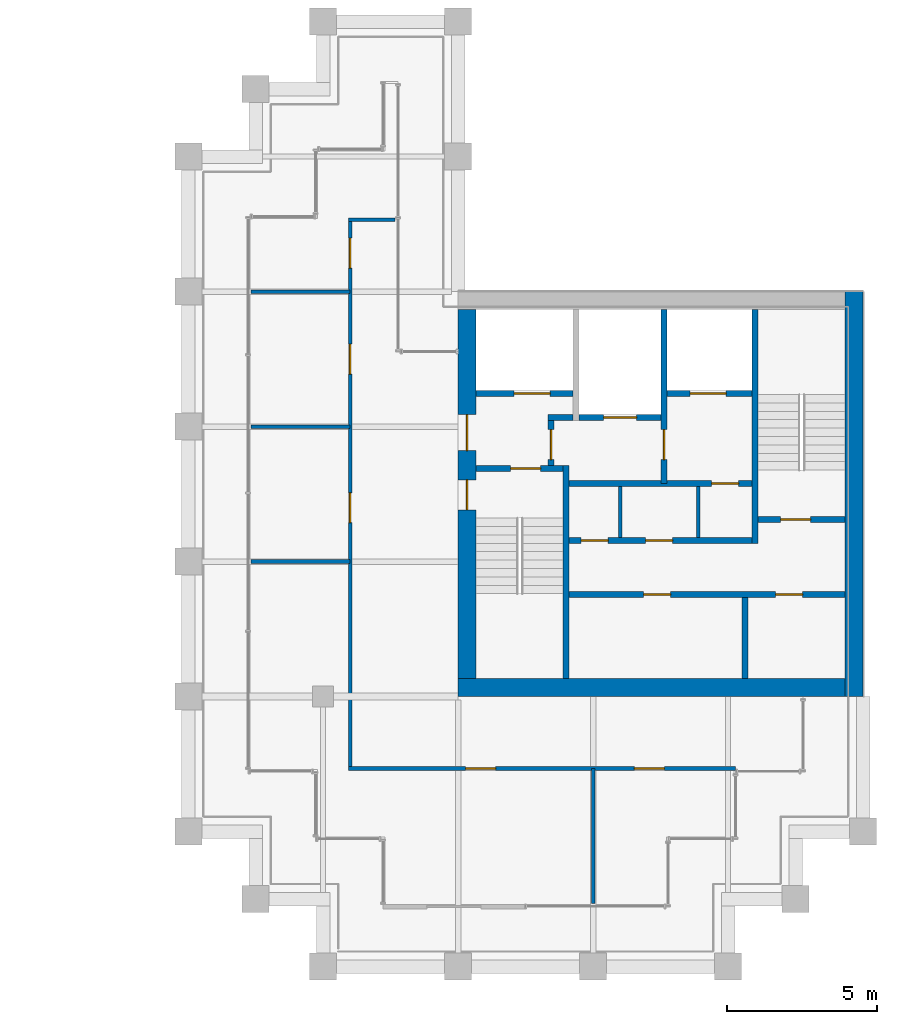
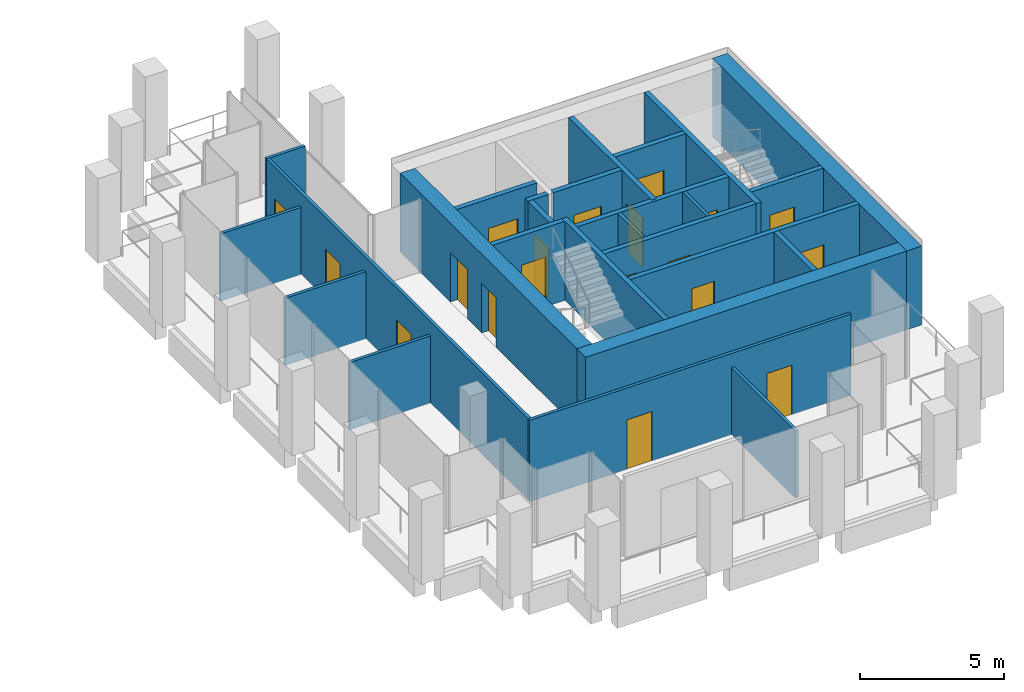
# One storey, part 38 of 40: 26 walls, 19 doors, 19 openings.
"""IFC4 building model written with IfcOpenShell, lengths in metres."""

from ifc_helpers import new_model, si_unit, direction, frame, frame_2d, origin, place, context, subcontext, project, spatial, rectangle, extrude, material, layer, layer_set, type_object, element, fill, save


model = new_model("IFC4")

# Units and contexts
model_context = context("Model", 3, precision=1e-05, world=origin(), true_north=direction((0.0, 1.0)))
body_context = subcontext(model_context, "Body", "Model", "MODEL_VIEW")
ifc_project = project(units=[si_unit("LENGTHUNIT", "METRE"), si_unit("AREAUNIT", "SQUARE_METRE"), si_unit("VOLUMEUNIT", "CUBIC_METRE"), si_unit("PLANEANGLEUNIT", "RADIAN"), si_unit("MASSUNIT", "GRAM", prefix="KILO")], contexts=[model_context])

# Site, building, storey
site_placement = place(None, origin())
site = spatial("IfcSite", under=ifc_project, at=site_placement, CompositionType="ELEMENT")
building_placement = place(site_placement, origin())
building = spatial("IfcBuilding", under=site, at=building_placement, Name="Altepetl Exchange Towers", CompositionType="ELEMENT")
storey_placement = place(building_placement, frame((0.0, 0.0, 147.39990234375)))
storey = spatial("IfcBuildingStorey", under=building, at=storey_placement, Name="L36", CompositionType="ELEMENT", Elevation=147.39990234375)

# Wall
ifc_material_1 = material(Name="Concrete C70/85", Category="concrete")
ifc_layer_1 = layer(ifc_material_1, 0.60009765625)
ifc_layer_set_1 = layer_set([ifc_layer_1], Name="Concrete C70/85")
wall_type_1 = type_object("IfcWallType", Name="Core wall 600 reinforced concrete", PredefinedType="SHEAR", material=ifc_layer_set_1)
wall_1_placement = place(storey_placement, frame((103.5, 36.300048828125, 0.0)))
element("IfcWall", 1, at=wall_1_placement, inside=storey, type_object=wall_type_1, Name="wall:B:L36:K-coreS", PredefinedType="SHEAR", context=body_context, shape_type="SweptSolid", body=[
    extrude(rectangle(XDim=12.89990234375, YDim=0.60009765625, at=frame_2d((6.449951171875, 0.0))), origin(), (0.0, 0.0, 1.0), 3.35009765625),
])

# Wall, openings, doors
wall_2_placement = place(storey_placement, frame((103.800048828125, 36.60009765625, 0.0), z_axis=(0.0, 0.0, 1.0), x_axis=(0.0, 1.0, 0.0)))
wall_2 = element("IfcWall", 2, at=wall_2_placement, inside=storey, type_object=wall_type_1, Name="wall:B:L36:K-coreW", PredefinedType="SHEAR", context=body_context, shape_type="SweptSolid", body=[
    extrude(rectangle(XDim=12.2998046875, YDim=0.60009765625, at=frame_2d((6.14990234375, 0.0))), origin(), (0.0, 0.0, 1.0), 3.35009765625),
])
opening_1_placement = place(wall_2_placement, frame((7.60009765625, 0.0, 0.0)))
opening_1 = element("IfcOpeningElement", 3, at=opening_1_placement, cuts=wall_2, Name="Opening L36.B60", PredefinedType="OPENING", context=body_context, shape_type="SweptSolid", body=[
    extrude(rectangle(XDim=1.199951171875, YDim=2.10009765625, at=frame_2d((0.60009765625, 1.050048828125))), frame((0.0, 0.31005859375, 0.0), z_axis=(0.0, -1.0, 0.0), x_axis=(1.0, 0.0, 0.0)), (0.0, 0.0, 1.0), 0.6201171875),
])
opening_2_placement = place(wall_2_placement, frame((5.625, 0.0, 0.0)))
opening_2 = element("IfcOpeningElement", 4, at=opening_2_placement, cuts=wall_2, Name="Opening L36.B62", PredefinedType="OPENING", context=body_context, shape_type="SweptSolid", body=[
    extrude(rectangle(XDim=1.0, YDim=2.10009765625, at=frame_2d((0.5, 1.050048828125))), frame((0.0, 0.31005859375, 0.0), z_axis=(0.0, -1.0, 0.0), x_axis=(1.0, 0.0, 0.0)), (0.0, 0.0, 1.0), 0.6201171875),
])
ifc_material_2 = material(Name="Steel and timber fire door", Category="steel")
door_type_1 = type_object("IfcDoorType", Name="Fire door 1000 x 2100 stair and lobby", OperationType="SINGLE_SWING_LEFT", PredefinedType="DOOR", material=ifc_material_2)
door_1_placement = place(opening_2_placement, frame((1.0, 0.0, 0.0), x_axis=(-1.0, 0.0, 0.0)))
door_1 = element("IfcDoor", 5, at=door_1_placement, inside=storey, type_object=door_type_1, Name="door:B:L36:K-dS1x", OperationType="SINGLE_SWING_RIGHT", OverallHeight=2.10009765625, OverallWidth=1.0, PredefinedType="DOOR", context=body_context, shape_type="SweptSolid", body=[
    extrude(rectangle(XDim=1.0, YDim=2.10009765625, at=frame_2d((0.5, 1.050048828125))), frame((0.0, 0.02490234375, 0.0), z_axis=(0.0, -1.0, 0.0), x_axis=(1.0, 0.0, 0.0)), (0.0, 0.0, 1.0), 0.050048828125),
])
fill(opening_2, door_1)
door_type_2 = type_object("IfcDoorType", Name="Fire door 1200 x 2100 lobby entry", OperationType="SINGLE_SWING_LEFT", PredefinedType="DOOR", material=ifc_material_2)
door_2_placement = place(opening_1_placement, frame((1.199951171875, 0.0, 0.0), x_axis=(-1.0, 0.0, 0.0)))
door_2 = element("IfcDoor", 6, at=door_2_placement, inside=storey, type_object=door_type_2, Name="door:B:L36:K-dLNW", OperationType="SINGLE_SWING_RIGHT", OverallHeight=2.10009765625, OverallWidth=1.199951171875, PredefinedType="DOOR", context=body_context, shape_type="SweptSolid", body=[
    extrude(rectangle(XDim=1.199951171875, YDim=2.10009765625, at=frame_2d((0.60009765625, 1.050048828125))), frame((0.0, 0.02490234375, 0.0), z_axis=(0.0, -1.0, 0.0), x_axis=(1.0, 0.0, 0.0)), (0.0, 0.0, 1.0), 0.050048828125),
])
fill(opening_1, door_2)

# Walls
ifc_layer_2 = layer(ifc_material_1, 0.60009765625)
ifc_layer_set_2 = layer_set([ifc_layer_2], Name="Concrete C70/85")
wall_type_2 = type_object("IfcWallType", Name="Core wall 600 reinforced concrete external", PredefinedType="SHEAR", material=ifc_layer_set_2)
wall_3_placement = place(storey_placement, frame((116.699951171875, 36.0, 0.0), z_axis=(0.0, 0.0, 1.0), x_axis=(0.0, 1.0, 0.0)))
element("IfcWall", 7, at=wall_3_placement, inside=storey, type_object=wall_type_2, Name="wall:B:L36:K-coreE", PredefinedType="SHEAR", context=body_context, shape_type="SweptSolid", body=[
    extrude(rectangle(XDim=13.5, YDim=0.60009765625, at=frame_2d((6.75, 0.0))), origin(), (0.0, 0.0, 1.0), 3.35009765625),
])
ifc_material_3 = material(Name="Concrete blockwork", Category="masonry")
ifc_layer_3 = layer(ifc_material_3, 0.199951171875)
ifc_layer_set_3 = layer_set([ifc_layer_3], Name="Concrete blockwork")
wall_type_3 = type_object("IfcWallType", Name="Lobby wall 200 blockwork", PredefinedType="PARTITIONING", material=ifc_layer_set_3)
wall_4_placement = place(storey_placement, frame((106.5, 45.300048828125, 0.0)))
element("IfcWall", 8, at=wall_4_placement, inside=storey, type_object=wall_type_3, Name="wall:B:L36:K-ffNw", PredefinedType="PARTITIONING", context=body_context, shape_type="SweptSolid", body=[
    extrude(rectangle(XDim=0.833251953125, YDim=0.199951171875, at=frame_2d((0.41650390625, 0.0))), origin(), (0.0, 0.0, 1.0), 3.35009765625),
])

# Wall, opening, door
wall_5_placement = place(storey_placement, frame((106.60009765625, 43.699951171875, 0.0), z_axis=(0.0, 0.0, 1.0), x_axis=(0.0, 1.0, 0.0)))
wall_5 = element("IfcWall", 9, at=wall_5_placement, inside=storey, type_object=wall_type_3, Name="wall:B:L36:K-ffW", PredefinedType="PARTITIONING", context=body_context, shape_type="SweptSolid", body=[
    extrude(rectangle(XDim=1.5, YDim=0.199951171875, at=frame_2d((0.75, 0.0))), origin(), (0.0, 0.0, 1.0), 3.35009765625),
])
opening_3_placement = place(wall_5_placement, frame((0.199951171875, 0.0, 0.0)))
opening_3 = element("IfcOpeningElement", 10, at=opening_3_placement, cuts=wall_5, Name="Opening L36.B65", PredefinedType="OPENING", context=body_context, shape_type="SweptSolid", body=[
    extrude(rectangle(XDim=1.0, YDim=2.10009765625, at=frame_2d((0.5, 1.050048828125))), frame((0.0, 0.10986328125, 0.0), z_axis=(0.0, -1.0, 0.0), x_axis=(1.0, 0.0, 0.0)), (0.0, 0.0, 1.0), 0.219970703125),
])
door_3_placement = place(opening_3_placement, frame((1.0, 0.0, 0.0), x_axis=(-1.0, 0.0, 0.0)))
door_3 = element("IfcDoor", 11, at=door_3_placement, inside=storey, type_object=door_type_1, Name="door:B:L36:K-dffW", OperationType="SINGLE_SWING_LEFT", OverallHeight=2.10009765625, OverallWidth=1.0, PredefinedType="DOOR", context=body_context, shape_type="SweptSolid", body=[
    extrude(rectangle(XDim=1.0, YDim=2.10009765625, at=frame_2d((0.5, 1.050048828125))), frame((0.0, 0.02490234375, 0.0), z_axis=(0.0, -1.0, 0.0), x_axis=(1.0, 0.0, 0.0)), (0.0, 0.0, 1.0), 0.050048828125),
])
fill(opening_3, door_3)

wall_6_placement = place(storey_placement, frame((107.199951171875, 43.10009765625, 0.0)))
wall_6 = element("IfcWall", 12, at=wall_6_placement, inside=storey, type_object=wall_type_3, Name="wall:B:L36:K-zoneN", PredefinedType="PARTITIONING", context=body_context, shape_type="SweptSolid", body=[
    extrude(rectangle(XDim=6.10009765625, YDim=0.199951171875, at=frame_2d((3.050048828125, 0.0))), origin(), (0.0, 0.0, 1.0), 3.35009765625),
])
opening_4_placement = place(wall_6_placement, frame((4.75, 0.0, 0.0)))
opening_4 = element("IfcOpeningElement", 13, at=opening_4_placement, cuts=wall_6, Name="Opening L36.B70", PredefinedType="OPENING", context=body_context, shape_type="SweptSolid", body=[
    extrude(rectangle(XDim=0.89990234375, YDim=2.10009765625, at=frame_2d((0.449951171875, 1.050048828125))), frame((0.0, 0.10986328125, 0.0), z_axis=(0.0, -1.0, 0.0), x_axis=(1.0, 0.0, 0.0)), (0.0, 0.0, 1.0), 0.219970703125),
])
door_type_3 = type_object("IfcDoorType", Name="Fire door 900 x 2100 service room", OperationType="SINGLE_SWING_LEFT", PredefinedType="DOOR", material=ifc_material_2)
door_4_placement = place(opening_4_placement, frame((0.89990234375, 0.0, 0.0), x_axis=(-1.0, 0.0, 0.0)))
door_4 = element("IfcDoor", 14, at=door_4_placement, inside=storey, type_object=door_type_3, Name="door:B:L36:K-dz3", OperationType="SINGLE_SWING_RIGHT", OverallHeight=2.10009765625, OverallWidth=0.89990234375, PredefinedType="DOOR", context=body_context, shape_type="SweptSolid", body=[
    extrude(rectangle(XDim=0.89990234375, YDim=2.10009765625, at=frame_2d((0.449951171875, 1.050048828125))), frame((0.0, 0.02490234375, 0.0), z_axis=(0.0, -1.0, 0.0), x_axis=(1.0, 0.0, 0.0)), (0.0, 0.0, 1.0), 0.050048828125),
])
fill(opening_4, door_4)

# Wall, openings, doors
wall_7_placement = place(storey_placement, frame((107.199951171875, 41.199951171875, 0.0)))
wall_7 = element("IfcWall", 15, at=wall_7_placement, inside=storey, type_object=wall_type_3, Name="wall:B:L36:K-zoneS", PredefinedType="PARTITIONING", context=body_context, shape_type="SweptSolid", body=[
    extrude(rectangle(XDim=6.10009765625, YDim=0.199951171875, at=frame_2d((3.050048828125, 0.0))), origin(), (0.0, 0.0, 1.0), 3.35009765625),
])
opening_5_placement = place(wall_7_placement, frame((0.39990234375, 0.0, 0.0)))
opening_5 = element("IfcOpeningElement", 16, at=opening_5_placement, cuts=wall_7, Name="Opening L36.B68", PredefinedType="OPENING", context=body_context, shape_type="SweptSolid", body=[
    extrude(rectangle(XDim=0.89990234375, YDim=2.10009765625, at=frame_2d((0.449951171875, 1.050048828125))), frame((0.0, 0.10986328125, 0.0), z_axis=(0.0, -1.0, 0.0), x_axis=(1.0, 0.0, 0.0)), (0.0, 0.0, 1.0), 0.219970703125),
])
opening_6_placement = place(wall_7_placement, frame((2.550048828125, 0.0, 0.0)))
opening_6 = element("IfcOpeningElement", 17, at=opening_6_placement, cuts=wall_7, Name="Opening L36.B69", PredefinedType="OPENING", context=body_context, shape_type="SweptSolid", body=[
    extrude(rectangle(XDim=0.89990234375, YDim=2.10009765625, at=frame_2d((0.449951171875, 1.050048828125))), frame((0.0, 0.10986328125, 0.0), z_axis=(0.0, -1.0, 0.0), x_axis=(1.0, 0.0, 0.0)), (0.0, 0.0, 1.0), 0.219970703125),
])
door_5_placement = place(opening_5_placement, origin())
door_5 = element("IfcDoor", 18, at=door_5_placement, inside=storey, type_object=door_type_3, Name="door:B:L36:K-dz1", OperationType="SINGLE_SWING_RIGHT", OverallHeight=2.10009765625, OverallWidth=0.89990234375, PredefinedType="DOOR", context=body_context, shape_type="SweptSolid", body=[
    extrude(rectangle(XDim=0.89990234375, YDim=2.10009765625, at=frame_2d((0.449951171875, 1.050048828125))), frame((0.0, 0.02490234375, 0.0), z_axis=(0.0, -1.0, 0.0), x_axis=(1.0, 0.0, 0.0)), (0.0, 0.0, 1.0), 0.050048828125),
])
fill(opening_5, door_5)
door_6_placement = place(opening_6_placement, origin())
door_6 = element("IfcDoor", 19, at=door_6_placement, inside=storey, type_object=door_type_3, Name="door:B:L36:K-dz2", OperationType="SINGLE_SWING_LEFT", OverallHeight=2.10009765625, OverallWidth=0.89990234375, PredefinedType="DOOR", context=body_context, shape_type="SweptSolid", body=[
    extrude(rectangle(XDim=0.89990234375, YDim=2.10009765625, at=frame_2d((0.449951171875, 1.050048828125))), frame((0.0, 0.02490234375, 0.0), z_axis=(0.0, -1.0, 0.0), x_axis=(1.0, 0.0, 0.0)), (0.0, 0.0, 1.0), 0.050048828125),
])
fill(opening_6, door_6)

# Walls
ifc_material_4 = material(Name="Timber panels on aluminium track", Category="wood")
ifc_layer_4 = layer(ifc_material_4, 0.125)
ifc_layer_set_4 = layer_set([ifc_layer_4], Name="Timber panels on aluminium track")
wall_type_4 = type_object("IfcWallType", Name="Operable acoustic partition 125", PredefinedType="MOVABLE", material=ifc_layer_set_4)
for number, where, name in (
    (20, (96.60009765625, 45.0, 0.0), "wall:B:L36:P03"),
    (21, (96.60009765625, 49.5, 0.0), "wall:B:L36:P04"),
):
    element("IfcWall", number, at=place(storey_placement, frame(where)), inside=storey, type_object=wall_type_4, Name=name, PredefinedType="MOVABLE", context=body_context, shape_type="SweptSolid", body=[
        extrude(rectangle(XDim=3.2998046875, YDim=0.125, at=frame_2d((1.64990234375, 0.0))), origin(), (0.0, 0.0, 1.0), 2.85107421875),
    ])
ifc_material_5 = material(Name="Gypsum board on steel studs", Category="steel")
ifc_layer_5 = layer(ifc_material_5, 0.125)
ifc_layer_set_5 = layer_set([ifc_layer_5], Name="Gypsum board on steel studs")
wall_type_5 = type_object("IfcWallType", Name="Partition 125 gypsum board on steel studs", PredefinedType="PARTITIONING", material=ifc_layer_set_5)
for number, where, z_axis, x_axis, name in (
    (22, (108.89990234375, 41.300048828125, 0.0), (0.0, 0.0, 1.0), (0.0, 1.0, 0.0), "wall:B:L36:K-zp1"),
    (23, (111.5, 41.300048828125, 0.0), (0.0, 0.0, 1.0), (0.0, 1.0, 0.0), "wall:B:L36:K-zp2"),
):
    element("IfcWall", number, at=place(storey_placement, frame(where, z_axis=z_axis, x_axis=x_axis)), inside=storey, type_object=wall_type_5, Name=name, PredefinedType="PARTITIONING", context=body_context, shape_type="SweptSolid", body=[
        extrude(rectangle(XDim=1.699951171875, YDim=0.125, at=frame_2d((0.85009765625, 0.0))), origin(), (0.0, 0.0, 1.0), 3.35009765625),
    ])

# Wall, openings, doors
wall_8_placement = place(storey_placement, frame((99.83740234375, 33.60009765625, 0.0)))
wall_8 = element("IfcWall", 24, at=wall_8_placement, inside=storey, type_object=wall_type_5, Name="wall:B:L36:P01", PredefinedType="PARTITIONING", context=body_context, shape_type="SweptSolid", body=[
    extrude(rectangle(XDim=12.91259765625, YDim=0.125, at=frame_2d((6.456298828125, 0.0))), origin(), (0.0, 0.0, 1.0), 3.4501953125),
])
opening_7_placement = place(wall_8_placement, frame((3.91259765625, 0.0, 0.0)))
opening_7 = element("IfcOpeningElement", 25, at=opening_7_placement, cuts=wall_8, Name="Opening L36.B01", PredefinedType="OPENING", context=body_context, shape_type="SweptSolid", body=[
    extrude(rectangle(XDim=1.0, YDim=2.10009765625, at=frame_2d((0.5, 1.050048828125))), frame((0.0, 0.072509765625, 0.0), z_axis=(0.0, -1.0, 0.0), x_axis=(1.0, 0.0, 0.0)), (0.0, 0.0, 1.0), 0.14501953125),
])
opening_8_placement = place(wall_8_placement, frame((9.53857421875, 0.0, 0.0)))
opening_8 = element("IfcOpeningElement", 26, at=opening_8_placement, cuts=wall_8, Name="Opening L36.B02", PredefinedType="OPENING", context=body_context, shape_type="SweptSolid", body=[
    extrude(rectangle(XDim=1.0, YDim=2.10009765625, at=frame_2d((0.5, 1.050048828125))), frame((0.0, 0.072509765625, 0.0), z_axis=(0.0, -1.0, 0.0), x_axis=(1.0, 0.0, 0.0)), (0.0, 0.0, 1.0), 0.14501953125),
])
door_type_4 = type_object("IfcDoorType", Name="Fire door 1000 x 2100 single leaf", OperationType="SINGLE_SWING_LEFT", PredefinedType="DOOR", material=ifc_material_2)
door_7_placement = place(opening_7_placement, origin())
door_7 = element("IfcDoor", 27, at=door_7_placement, inside=storey, type_object=door_type_4, Name="door:B:L36:01", OperationType="SINGLE_SWING_RIGHT", OverallHeight=2.10009765625, OverallWidth=1.0, PredefinedType="DOOR", context=body_context, shape_type="SweptSolid", body=[
    extrude(rectangle(XDim=1.0, YDim=2.10009765625, at=frame_2d((0.5, 1.050048828125))), frame((0.0, 0.02490234375, 0.0), z_axis=(0.0, -1.0, 0.0), x_axis=(1.0, 0.0, 0.0)), (0.0, 0.0, 1.0), 0.050048828125),
])
fill(opening_7, door_7)
door_8_placement = place(opening_8_placement, frame((1.0, 0.0, 0.0), x_axis=(-1.0, 0.0, 0.0)))
door_8 = element("IfcDoor", 28, at=door_8_placement, inside=storey, type_object=door_type_4, Name="door:B:L36:02", OperationType="SINGLE_SWING_RIGHT", OverallHeight=2.10009765625, OverallWidth=1.0, PredefinedType="DOOR", context=body_context, shape_type="SweptSolid", body=[
    extrude(rectangle(XDim=1.0, YDim=2.10009765625, at=frame_2d((0.5, 1.050048828125))), frame((0.0, 0.02490234375, 0.0), z_axis=(0.0, -1.0, 0.0), x_axis=(1.0, 0.0, 0.0)), (0.0, 0.0, 1.0), 0.050048828125),
])
fill(opening_8, door_8)

# Walls
wall_9_placement = place(storey_placement, frame((96.60009765625, 40.5, 0.0)))
element("IfcWall", 29, at=wall_9_placement, inside=storey, type_object=wall_type_5, Name="wall:B:L36:P02", PredefinedType="PARTITIONING", context=body_context, shape_type="SweptSolid", body=[
    extrude(rectangle(XDim=3.2998046875, YDim=0.125, at=frame_2d((1.64990234375, 0.0))), origin(), (0.0, 0.0, 1.0), 2.85107421875),
])
wall_10_placement = place(storey_placement, frame((99.83740234375, 51.89990234375, 0.0)))
element("IfcWall", 30, at=wall_10_placement, inside=storey, type_object=wall_type_5, Name="wall:B:L36:P05", PredefinedType="PARTITIONING", context=body_context, shape_type="SweptSolid", body=[
    extrude(rectangle(XDim=1.5625, YDim=0.125, at=frame_2d((0.78125, 0.0))), origin(), (0.0, 0.0, 1.0), 3.4501953125),
])

# Wall, openings, doors
wall_11_placement = place(storey_placement, frame((99.89990234375, 33.66259765625, 0.0), z_axis=(0.0, 0.0, 1.0), x_axis=(0.0, 1.0, 0.0)))
wall_11 = element("IfcWall", 31, at=wall_11_placement, inside=storey, type_object=wall_type_5, Name="wall:B:L36:P06", PredefinedType="PARTITIONING", context=body_context, shape_type="SweptSolid", body=[
    extrude(rectangle(XDim=18.1748046875, YDim=0.125, at=frame_2d((9.08740234375, 0.0))), origin(), (0.0, 0.0, 1.0), 3.4501953125),
])
opening_9_placement = place(wall_11_placement, frame((16.62548828125, 0.0, 0.0)))
opening_9 = element("IfcOpeningElement", 32, at=opening_9_placement, cuts=wall_11, Name="Opening L36.B03", PredefinedType="OPENING", context=body_context, shape_type="SweptSolid", body=[
    extrude(rectangle(XDim=1.0, YDim=2.10009765625, at=frame_2d((0.5, 1.050048828125))), frame((0.0, 0.072509765625, 0.0), z_axis=(0.0, -1.0, 0.0), x_axis=(1.0, 0.0, 0.0)), (0.0, 0.0, 1.0), 0.14501953125),
])
opening_10_placement = place(wall_11_placement, frame((13.08740234375, 0.0, 0.0)))
opening_10 = element("IfcOpeningElement", 33, at=opening_10_placement, cuts=wall_11, Name="Opening L36.B04", PredefinedType="OPENING", context=body_context, shape_type="SweptSolid", body=[
    extrude(rectangle(XDim=1.0, YDim=2.10009765625, at=frame_2d((0.5, 1.050048828125))), frame((0.0, 0.072509765625, 0.0), z_axis=(0.0, -1.0, 0.0), x_axis=(1.0, 0.0, 0.0)), (0.0, 0.0, 1.0), 0.14501953125),
])
opening_11_placement = place(wall_11_placement, frame((8.132568359375, 0.0, 0.0)))
opening_11 = element("IfcOpeningElement", 34, at=opening_11_placement, cuts=wall_11, Name="Opening L36.B05", PredefinedType="OPENING", context=body_context, shape_type="SweptSolid", body=[
    extrude(rectangle(XDim=1.0, YDim=2.10009765625, at=frame_2d((0.5, 1.050048828125))), frame((0.0, 0.072509765625, 0.0), z_axis=(0.0, -1.0, 0.0), x_axis=(1.0, 0.0, 0.0)), (0.0, 0.0, 1.0), 0.14501953125),
])
door_9_placement = place(opening_9_placement, origin())
door_9 = element("IfcDoor", 35, at=door_9_placement, inside=storey, type_object=door_type_4, Name="door:B:L36:03", OperationType="SINGLE_SWING_RIGHT", OverallHeight=2.10009765625, OverallWidth=1.0, PredefinedType="DOOR", context=body_context, shape_type="SweptSolid", body=[
    extrude(rectangle(XDim=1.0, YDim=2.10009765625, at=frame_2d((0.5, 1.050048828125))), frame((0.0, 0.02490234375, 0.0), z_axis=(0.0, -1.0, 0.0), x_axis=(1.0, 0.0, 0.0)), (0.0, 0.0, 1.0), 0.050048828125),
])
fill(opening_9, door_9)
door_10_placement = place(opening_10_placement, origin())
door_10 = element("IfcDoor", 36, at=door_10_placement, inside=storey, type_object=door_type_4, Name="door:B:L36:04", OperationType="SINGLE_SWING_LEFT", OverallHeight=2.10009765625, OverallWidth=1.0, PredefinedType="DOOR", context=body_context, shape_type="SweptSolid", body=[
    extrude(rectangle(XDim=1.0, YDim=2.10009765625, at=frame_2d((0.5, 1.050048828125))), frame((0.0, 0.02490234375, 0.0), z_axis=(0.0, -1.0, 0.0), x_axis=(1.0, 0.0, 0.0)), (0.0, 0.0, 1.0), 0.050048828125),
])
fill(opening_10, door_10)
door_11_placement = place(opening_11_placement, origin())
door_11 = element("IfcDoor", 37, at=door_11_placement, inside=storey, type_object=door_type_4, Name="door:B:L36:05", OperationType="SINGLE_SWING_RIGHT", OverallHeight=2.10009765625, OverallWidth=1.0, PredefinedType="DOOR", context=body_context, shape_type="SweptSolid", body=[
    extrude(rectangle(XDim=1.0, YDim=2.10009765625, at=frame_2d((0.5, 1.050048828125))), frame((0.0, 0.02490234375, 0.0), z_axis=(0.0, -1.0, 0.0), x_axis=(1.0, 0.0, 0.0)), (0.0, 0.0, 1.0), 0.050048828125),
])
fill(opening_11, door_11)

# Wall
wall_12_placement = place(storey_placement, frame((108.0, 29.10009765625, 0.0), z_axis=(0.0, 0.0, 1.0), x_axis=(0.0, 1.0, 0.0)))
element("IfcWall", 38, at=wall_12_placement, inside=storey, type_object=wall_type_5, Name="wall:B:L36:P07", PredefinedType="PARTITIONING", context=body_context, shape_type="SweptSolid", body=[
    extrude(rectangle(XDim=4.5, YDim=0.125, at=frame_2d((2.25, 0.0))), origin(), (0.0, 0.0, 1.0), 2.85107421875),
])

# Wall, opening, door
ifc_material_6 = material(Name="Concrete C40/50", Category="concrete")
ifc_layer_6 = layer(ifc_material_6, 0.199951171875)
ifc_layer_set_6 = layer_set([ifc_layer_6], Name="Concrete C40/50")
wall_type_6 = type_object("IfcWallType", Name="Shaft wall 200 reinforced concrete", PredefinedType="SHEAR", material=ifc_layer_set_6)
wall_13_placement = place(storey_placement, frame((110.36669921875, 48.89990234375, 0.0), z_axis=(0.0, 0.0, 1.0), x_axis=(0.0, -1.0, 0.0)))
wall_13 = element("IfcWall", 39, at=wall_13_placement, inside=storey, type_object=wall_type_6, Name="wall:B:L36:K-divN2", PredefinedType="SHEAR", context=body_context, shape_type="SweptSolid", body=[
    extrude(rectangle(XDim=5.7998046875, YDim=0.199951171875, at=frame_2d((2.89990234375, 0.0))), origin(), (0.0, 0.0, 1.0), 3.35009765625),
])
opening_12_placement = place(wall_13_placement, frame((4.0, 0.0, 0.0)))
opening_12 = element("IfcOpeningElement", 40, at=opening_12_placement, cuts=wall_13, Name="Opening L36.B64", PredefinedType="OPENING", context=body_context, shape_type="SweptSolid", body=[
    extrude(rectangle(XDim=1.0, YDim=2.10009765625, at=frame_2d((0.5, 1.050048828125))), frame((0.0, 0.10986328125, 0.0), z_axis=(0.0, -1.0, 0.0), x_axis=(1.0, 0.0, 0.0)), (0.0, 0.0, 1.0), 0.219970703125),
])
door_12_placement = place(opening_12_placement, frame((1.0, 0.0, 0.0), x_axis=(-1.0, 0.0, 0.0)))
door_12 = element("IfcDoor", 41, at=door_12_placement, inside=storey, type_object=door_type_1, Name="door:B:L36:K-dffE", OperationType="SINGLE_SWING_RIGHT", OverallHeight=2.10009765625, OverallWidth=1.0, PredefinedType="DOOR", context=body_context, shape_type="SweptSolid", body=[
    extrude(rectangle(XDim=1.0, YDim=2.10009765625, at=frame_2d((0.5, 1.050048828125))), frame((0.0, 0.02490234375, 0.0), z_axis=(0.0, -1.0, 0.0), x_axis=(1.0, 0.0, 0.0)), (0.0, 0.0, 1.0), 0.050048828125),
])
fill(opening_12, door_12)

wall_14_placement = place(storey_placement, frame((104.10009765625, 46.10009765625, 0.0)))
wall_14 = element("IfcWall", 42, at=wall_14_placement, inside=storey, type_object=wall_type_6, Name="wall:B:L36:K-frontNa", PredefinedType="SHEAR", context=body_context, shape_type="SweptSolid", body=[
    extrude(rectangle(XDim=3.233154296875, YDim=0.199951171875, at=frame_2d((1.61669921875, 0.0))), origin(), (0.0, 0.0, 1.0), 3.35009765625),
])
opening_13_placement = place(wall_14_placement, frame((1.2666015625, 0.0, 0.0)))
opening_13 = element("IfcOpeningElement", 43, at=opening_13_placement, cuts=wall_14, Name="Opening L36.B72", PredefinedType="OPENING", context=body_context, shape_type="SweptSolid", body=[
    extrude(rectangle(XDim=1.199951171875, YDim=2.10009765625, at=frame_2d((0.60009765625, 1.050048828125))), frame((0.0, 0.10986328125, 0.0), z_axis=(0.0, -1.0, 0.0), x_axis=(1.0, 0.0, 0.0)), (0.0, 0.0, 1.0), 0.219970703125),
])
ifc_material_7 = material(Name="Stainless steel", Category="steel")
door_type_5 = type_object("IfcDoorType", Name="Lift landing door 1200 x 2100", OperationType="SLIDING_TO_LEFT", PredefinedType="DOOR", material=ifc_material_7)
door_13_placement = place(opening_13_placement, origin())
door_13 = element("IfcDoor", 44, at=door_13_placement, inside=storey, type_object=door_type_5, Name="Landing door P4", OperationType="SLIDING_TO_LEFT", OverallHeight=2.10009765625, OverallWidth=1.199951171875, PredefinedType="DOOR", context=body_context, shape_type="SweptSolid", body=[
    extrude(rectangle(XDim=1.199951171875, YDim=2.10009765625, at=frame_2d((0.60009765625, 1.050048828125))), frame((0.0, 0.02490234375, 0.0), z_axis=(0.0, -1.0, 0.0), x_axis=(1.0, 0.0, 0.0)), (0.0, 0.0, 1.0), 0.050048828125),
])
fill(opening_13, door_13)

wall_15_placement = place(storey_placement, frame((110.466796875, 46.10009765625, 0.0)))
wall_15 = element("IfcWall", 45, at=wall_15_placement, inside=storey, type_object=wall_type_6, Name="wall:B:L36:K-frontNb", PredefinedType="SHEAR", context=body_context, shape_type="SweptSolid", body=[
    extrude(rectangle(XDim=2.833251953125, YDim=0.199951171875, at=frame_2d((1.41650390625, 0.0))), origin(), (0.0, 0.0, 1.0), 3.35009765625),
])
opening_14_placement = place(wall_15_placement, frame((0.7666015625, 0.0, 0.0)))
opening_14 = element("IfcOpeningElement", 46, at=opening_14_placement, cuts=wall_15, Name="Opening L36.B73", PredefinedType="OPENING", context=body_context, shape_type="SweptSolid", body=[
    extrude(rectangle(XDim=1.199951171875, YDim=2.10009765625, at=frame_2d((0.60009765625, 1.050048828125))), frame((0.0, 0.10986328125, 0.0), z_axis=(0.0, -1.0, 0.0), x_axis=(1.0, 0.0, 0.0)), (0.0, 0.0, 1.0), 0.219970703125),
])
door_14_placement = place(opening_14_placement, origin())
door_14 = element("IfcDoor", 47, at=door_14_placement, inside=storey, type_object=door_type_5, Name="Landing door P5", OperationType="SLIDING_TO_LEFT", OverallHeight=2.10009765625, OverallWidth=1.199951171875, PredefinedType="DOOR", context=body_context, shape_type="SweptSolid", body=[
    extrude(rectangle(XDim=1.199951171875, YDim=2.10009765625, at=frame_2d((0.60009765625, 1.050048828125))), frame((0.0, 0.02490234375, 0.0), z_axis=(0.0, -1.0, 0.0), x_axis=(1.0, 0.0, 0.0)), (0.0, 0.0, 1.0), 0.050048828125),
])
fill(opening_14, door_14)

wall_16_placement = place(storey_placement, frame((107.533203125, 45.300048828125, 0.0)))
wall_16 = element("IfcWall", 48, at=wall_16_placement, inside=storey, type_object=wall_type_6, Name="wall:B:L36:K-frontNd", PredefinedType="SHEAR", context=body_context, shape_type="SweptSolid", body=[
    extrude(rectangle(XDim=2.7333984375, YDim=0.199951171875, at=frame_2d((1.36669921875, 0.0))), origin(), (0.0, 0.0, 1.0), 3.35009765625),
])
opening_15_placement = place(wall_16_placement, frame((0.816650390625, 0.0, 0.0)))
opening_15 = element("IfcOpeningElement", 49, at=opening_15_placement, cuts=wall_16, Name="Opening L36.B71", PredefinedType="OPENING", context=body_context, shape_type="SweptSolid", body=[
    extrude(rectangle(XDim=1.10009765625, YDim=2.10009765625, at=frame_2d((0.550048828125, 1.050048828125))), frame((0.0, 0.10986328125, 0.0), z_axis=(0.0, -1.0, 0.0), x_axis=(1.0, 0.0, 0.0)), (0.0, 0.0, 1.0), 0.219970703125),
])
door_type_6 = type_object("IfcDoorType", Name="Lift landing door 1100 x 2100", OperationType="SLIDING_TO_LEFT", PredefinedType="DOOR", material=ifc_material_7)
door_15_placement = place(opening_15_placement, origin())
door_15 = element("IfcDoor", 50, at=door_15_placement, inside=storey, type_object=door_type_6, Name="Landing door FFL1", OperationType="SLIDING_TO_LEFT", OverallHeight=2.10009765625, OverallWidth=1.10009765625, PredefinedType="DOOR", context=body_context, shape_type="SweptSolid", body=[
    extrude(rectangle(XDim=1.10009765625, YDim=2.10009765625, at=frame_2d((0.550048828125, 1.050048828125))), frame((0.0, 0.02490234375, 0.0), z_axis=(0.0, -1.0, 0.0), x_axis=(1.0, 0.0, 0.0)), (0.0, 0.0, 1.0), 0.050048828125),
])
fill(opening_15, door_15)

# Wall, openings, doors
wall_17_placement = place(storey_placement, frame((107.199951171875, 39.39990234375, 0.0)))
wall_17 = element("IfcWall", 51, at=wall_17_placement, inside=storey, type_object=wall_type_6, Name="wall:B:L36:K-frontS", PredefinedType="SHEAR", context=body_context, shape_type="SweptSolid", body=[
    extrude(rectangle(XDim=9.199951171875, YDim=0.199951171875, at=frame_2d((4.60009765625, 0.0))), origin(), (0.0, 0.0, 1.0), 3.35009765625),
])
opening_16_placement = place(wall_17_placement, frame((2.4833984375, 0.0, 0.0)))
opening_16 = element("IfcOpeningElement", 52, at=opening_16_placement, cuts=wall_17, Name="Opening L36.B66", PredefinedType="OPENING", context=body_context, shape_type="SweptSolid", body=[
    extrude(rectangle(XDim=0.89990234375, YDim=2.10009765625, at=frame_2d((0.449951171875, 1.050048828125))), frame((0.0, 0.10986328125, 0.0), z_axis=(0.0, -1.0, 0.0), x_axis=(1.0, 0.0, 0.0)), (0.0, 0.0, 1.0), 0.219970703125),
])
opening_17_placement = place(wall_17_placement, frame((6.88330078125, 0.0, 0.0)))
opening_17 = element("IfcOpeningElement", 53, at=opening_17_placement, cuts=wall_17, Name="Opening L36.B67", PredefinedType="OPENING", context=body_context, shape_type="SweptSolid", body=[
    extrude(rectangle(XDim=0.89990234375, YDim=2.10009765625, at=frame_2d((0.449951171875, 1.050048828125))), frame((0.0, 0.10986328125, 0.0), z_axis=(0.0, -1.0, 0.0), x_axis=(1.0, 0.0, 0.0)), (0.0, 0.0, 1.0), 0.219970703125),
])
door_16_placement = place(opening_16_placement, frame((0.89990234375, 0.0, 0.0), x_axis=(-1.0, 0.0, 0.0)))
door_16 = element("IfcDoor", 54, at=door_16_placement, inside=storey, type_object=door_type_3, Name="door:B:L36:K-dslotS0", OperationType="SINGLE_SWING_LEFT", OverallHeight=2.10009765625, OverallWidth=0.89990234375, PredefinedType="DOOR", context=body_context, shape_type="SweptSolid", body=[
    extrude(rectangle(XDim=0.89990234375, YDim=2.10009765625, at=frame_2d((0.449951171875, 1.050048828125))), frame((0.0, 0.02490234375, 0.0), z_axis=(0.0, -1.0, 0.0), x_axis=(1.0, 0.0, 0.0)), (0.0, 0.0, 1.0), 0.050048828125),
])
fill(opening_16, door_16)
door_17_placement = place(opening_17_placement, frame((0.89990234375, 0.0, 0.0), x_axis=(-1.0, 0.0, 0.0)))
door_17 = element("IfcDoor", 55, at=door_17_placement, inside=storey, type_object=door_type_3, Name="door:B:L36:K-dslotS2", OperationType="SINGLE_SWING_LEFT", OverallHeight=2.10009765625, OverallWidth=0.89990234375, PredefinedType="DOOR", context=body_context, shape_type="SweptSolid", body=[
    extrude(rectangle(XDim=0.89990234375, YDim=2.10009765625, at=frame_2d((0.449951171875, 1.050048828125))), frame((0.0, 0.02490234375, 0.0), z_axis=(0.0, -1.0, 0.0), x_axis=(1.0, 0.0, 0.0)), (0.0, 0.0, 1.0), 0.050048828125),
])
fill(opening_17, door_17)

# Walls
ifc_layer_7 = layer(ifc_material_1, 0.199951171875)
ifc_layer_set_7 = layer_set([ifc_layer_7], Name="Concrete C70/85")
wall_type_7 = type_object("IfcWallType", Name="Shear wall 200 reinforced concrete", PredefinedType="SHEAR", material=ifc_layer_set_7)
wall_18_placement = place(storey_placement, frame((113.066650390625, 36.60009765625, 0.0), z_axis=(0.0, 0.0, 1.0), x_axis=(0.0, 1.0, 0.0)))
element("IfcWall", 56, at=wall_18_placement, inside=storey, type_object=wall_type_7, Name="wall:B:L36:K-divS2", PredefinedType="SHEAR", context=body_context, shape_type="SweptSolid", body=[
    extrude(rectangle(XDim=2.699951171875, YDim=0.199951171875, at=frame_2d((1.35009765625, 0.0))), origin(), (0.0, 0.0, 1.0), 3.35009765625),
])
ifc_layer_8 = layer(ifc_material_6, 0.199951171875)
ifc_layer_set_8 = layer_set([ifc_layer_8], Name="Concrete C40/50")
wall_type_8 = type_object("IfcWallType", Name="Stair wall 200 reinforced concrete", PredefinedType="SHEAR", material=ifc_layer_set_8)
wall_19_placement = place(storey_placement, frame((107.10009765625, 36.60009765625, 0.0), z_axis=(0.0, 0.0, 1.0), x_axis=(0.0, 1.0, 0.0)))
element("IfcWall", 57, at=wall_19_placement, inside=storey, type_object=wall_type_8, Name="wall:B:L36:K-stS1E", PredefinedType="SHEAR", context=body_context, shape_type="SweptSolid", body=[
    extrude(rectangle(XDim=7.099853515625, YDim=0.199951171875, at=frame_2d((3.5498046875, 0.0))), origin(), (0.0, 0.0, 1.0), 3.35009765625),
])

# Wall, opening, door
wall_20_placement = place(storey_placement, frame((104.10009765625, 43.60009765625, 0.0)))
wall_20 = element("IfcWall", 58, at=wall_20_placement, inside=storey, type_object=wall_type_8, Name="wall:B:L36:K-stS1N", PredefinedType="SHEAR", context=body_context, shape_type="SweptSolid", body=[
    extrude(rectangle(XDim=2.89990234375, YDim=0.199951171875, at=frame_2d((1.449951171875, 0.0))), origin(), (0.0, 0.0, 1.0), 3.35009765625),
])
opening_18_placement = place(wall_20_placement, frame((1.14990234375, 0.0, 0.0)))
opening_18 = element("IfcOpeningElement", 59, at=opening_18_placement, cuts=wall_20, Name="Opening L36.B61", PredefinedType="OPENING", context=body_context, shape_type="SweptSolid", body=[
    extrude(rectangle(XDim=1.0, YDim=2.10009765625, at=frame_2d((0.5, 1.050048828125))), frame((0.0, 0.10986328125, 0.0), z_axis=(0.0, -1.0, 0.0), x_axis=(1.0, 0.0, 0.0)), (0.0, 0.0, 1.0), 0.219970703125),
])
door_18_placement = place(opening_18_placement, frame((1.0, 0.0, 0.0), x_axis=(-1.0, 0.0, 0.0)))
door_18 = element("IfcDoor", 60, at=door_18_placement, inside=storey, type_object=door_type_1, Name="door:B:L36:K-dS1in", OperationType="SINGLE_SWING_LEFT", OverallHeight=2.10009765625, OverallWidth=1.0, PredefinedType="DOOR", context=body_context, shape_type="SweptSolid", body=[
    extrude(rectangle(XDim=1.0, YDim=2.10009765625, at=frame_2d((0.5, 1.050048828125))), frame((0.0, 0.02490234375, 0.0), z_axis=(0.0, -1.0, 0.0), x_axis=(1.0, 0.0, 0.0)), (0.0, 0.0, 1.0), 0.050048828125),
])
fill(opening_18, door_18)

wall_21_placement = place(storey_placement, frame((113.5, 41.89990234375, 0.0)))
wall_21 = element("IfcWall", 61, at=wall_21_placement, inside=storey, type_object=wall_type_8, Name="wall:B:L36:K-stS2S", PredefinedType="SHEAR", context=body_context, shape_type="SweptSolid", body=[
    extrude(rectangle(XDim=2.89990234375, YDim=0.199951171875, at=frame_2d((1.449951171875, 0.0))), origin(), (0.0, 0.0, 1.0), 3.35009765625),
])
opening_19_placement = place(wall_21_placement, frame((0.75, 0.0, 0.0)))
opening_19 = element("IfcOpeningElement", 62, at=opening_19_placement, cuts=wall_21, Name="Opening L36.B63", PredefinedType="OPENING", context=body_context, shape_type="SweptSolid", body=[
    extrude(rectangle(XDim=1.0, YDim=2.10009765625, at=frame_2d((0.5, 1.050048828125))), frame((0.0, 0.10986328125, 0.0), z_axis=(0.0, -1.0, 0.0), x_axis=(1.0, 0.0, 0.0)), (0.0, 0.0, 1.0), 0.219970703125),
])
door_19_placement = place(opening_19_placement, origin())
door_19 = element("IfcDoor", 63, at=door_19_placement, inside=storey, type_object=door_type_1, Name="door:B:L36:K-dS2in", OperationType="SINGLE_SWING_RIGHT", OverallHeight=2.10009765625, OverallWidth=1.0, PredefinedType="DOOR", context=body_context, shape_type="SweptSolid", body=[
    extrude(rectangle(XDim=1.0, YDim=2.10009765625, at=frame_2d((0.5, 1.050048828125))), frame((0.0, 0.02490234375, 0.0), z_axis=(0.0, -1.0, 0.0), x_axis=(1.0, 0.0, 0.0)), (0.0, 0.0, 1.0), 0.050048828125),
])
fill(opening_19, door_19)

# Wall
wall_22_placement = place(storey_placement, frame((113.39990234375, 41.10009765625, 0.0), z_axis=(0.0, 0.0, 1.0), x_axis=(0.0, 1.0, 0.0)))
element("IfcWall", 64, at=wall_22_placement, inside=storey, type_object=wall_type_8, Name="wall:B:L36:K-stS2W", PredefinedType="SHEAR", context=body_context, shape_type="SweptSolid", body=[
    extrude(rectangle(XDim=7.7998046875, YDim=0.199951171875, at=frame_2d((3.89990234375, 0.0))), origin(), (0.0, 0.0, 1.0), 3.35009765625),
])

save(model, "model.ifc")
